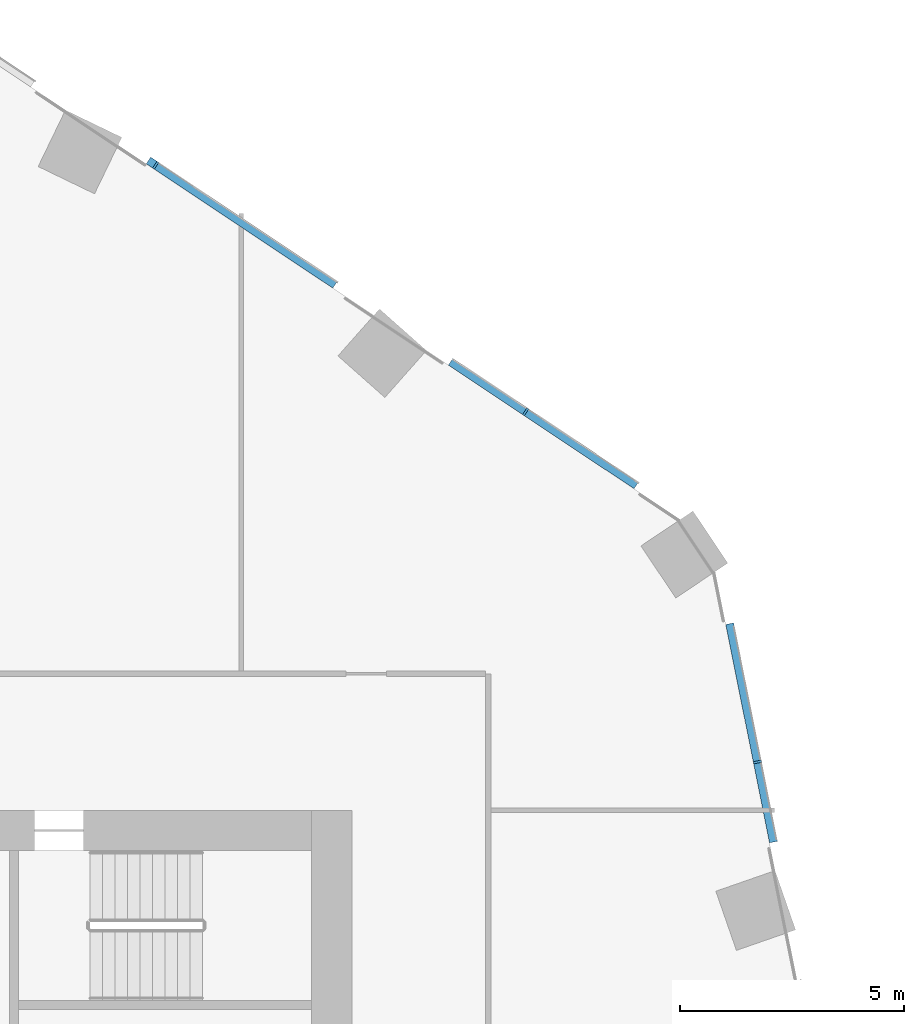
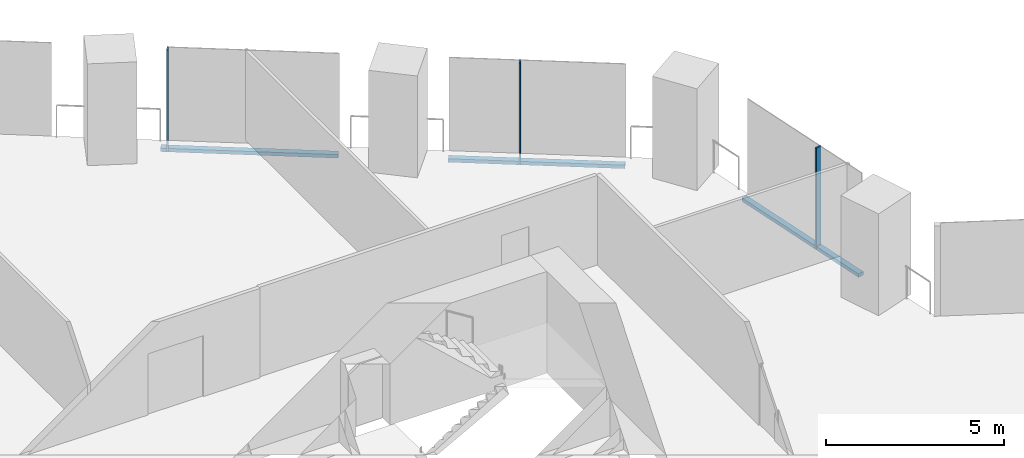
# One storey, part 14 of 32: 6 members, 2 elements without a shape of their own.
"""IFC4 building model written with IfcOpenShell, lengths in metres."""

from ifc_helpers import new_model, si_unit, direction, frame, origin, origin_2d, place, context, subcontext, project, spatial, rectangle, extrude, material, material_profile, profile_set, type_object, element, aggregate, save


model = new_model("IFC4")

# Units and contexts
model_context = context("Model", 3, precision=1e-05, world=origin(), true_north=direction((0.0, 1.0)))
body_context = subcontext(model_context, "Body", "Model", "MODEL_VIEW")
ifc_project = project(units=[si_unit("LENGTHUNIT", "METRE"), si_unit("AREAUNIT", "SQUARE_METRE"), si_unit("VOLUMEUNIT", "CUBIC_METRE"), si_unit("PLANEANGLEUNIT", "RADIAN"), si_unit("MASSUNIT", "GRAM", prefix="KILO")], contexts=[model_context])

# Site, building, storey
site_placement = place(None, origin())
site = spatial("IfcSite", under=ifc_project, at=site_placement, CompositionType="ELEMENT")
building_placement = place(site_placement, origin())
building = spatial("IfcBuilding", under=site, at=building_placement, Name="Orlundy Tower", CompositionType="ELEMENT")
storey_placement = place(building_placement, frame((0.0, 0.0, 58.800048828125)))
storey = spatial("IfcBuildingStorey", under=building, at=storey_placement, Name="L13", CompositionType="ELEMENT", Elevation=58.800048828125)

# Curtain wall, members
ifc_material_1 = material(Name="Aluminium bronze anodised", Category="aluminium")
curtain_wall_type = type_object("IfcCurtainWallType", Name="CW1 wall", PredefinedType="NOTDEFINED", material=ifc_material_1)
curtain_wall_1_placement = place(storey_placement, origin())
curtain_wall_1 = element("IfcCurtainWall", 1, at=curtain_wall_1_placement, inside=storey, type_object=curtain_wall_type, Name="CW1 run 016", PredefinedType="NOTDEFINED")
ifc_material_2 = material(Name="Aluminium bronze anodised", Category="aluminium")
ifc_material_profile_1 = material_profile(ifc_material_2, rectangle(XDim=0.179931640625, YDim=0.050048828125, at=origin_2d()), Name="CW1 mullion 50x180")
ifc_profile_set_1 = profile_set([ifc_material_profile_1], Name="Aluminium bronze anodised")
member_type_1 = type_object("IfcMemberType", Name="CW1 mullion 50x180", PredefinedType="MULLION", material=ifc_profile_set_1)
member_1_placement = place(storey_placement, frame((14.612548828125, 26.421142578125, -0.400146484375), z_axis=(0.0, 0.0, 1.0), x_axis=(0.554356579774, 0.832279269513, 0.0)))
member_1 = element("IfcMember", 2, at=member_1_placement, type_object=member_type_1, Name="CW1 mullion 46", PredefinedType="MULLION", context=body_context, shape_type="SweptSolid", body=[
    extrude(rectangle(XDim=0.179931640625, YDim=0.050048828125, at=origin_2d()), origin(), (0.0, 0.0, 1.0), 3.5),
])
member_2_placement = place(storey_placement, frame((22.885986328125, 20.910400390625, -0.400146484375), z_axis=(0.0, 0.0, 1.0), x_axis=(0.554356579774, 0.832279269513, 0.0)))
member_2 = element("IfcMember", 3, at=member_2_placement, type_object=member_type_1, Name="CW1 mullion 48", PredefinedType="MULLION", context=body_context, shape_type="SweptSolid", body=[
    extrude(rectangle(XDim=0.179931640625, YDim=0.050048828125, at=origin_2d()), origin(), (0.0, 0.0, 1.0), 3.5),
])

# Curtain wall, member
curtain_wall_2_placement = place(storey_placement, origin())
curtain_wall_2 = element("IfcCurtainWall", 4, at=curtain_wall_2_placement, inside=storey, type_object=curtain_wall_type, Name="CW1 run 017", PredefinedType="NOTDEFINED")
member_3_placement = place(storey_placement, frame((28.067138671875, 13.07861328125, -0.400146484375), z_axis=(0.0, 0.0, 1.0), x_axis=(0.980497937474, 0.196529373401, 0.0)))
member_3 = element("IfcMember", 5, at=member_3_placement, type_object=member_type_1, Name="CW1 mullion 50", PredefinedType="MULLION", context=body_context, shape_type="SweptSolid", body=[
    extrude(rectangle(XDim=0.179931640625, YDim=0.050048828125, at=origin_2d()), origin(), (0.0, 0.0, 1.0), 3.5),
])

# Member
ifc_material_3 = material(Name="Aluminium bronze anodised", Category="aluminium")
ifc_material_profile_2 = material_profile(ifc_material_3, rectangle(XDim=0.179931640625, YDim=0.1201171875, at=origin_2d()), Name="CW1 transom 180x120")
ifc_profile_set_2 = profile_set([ifc_material_profile_2], Name="Aluminium bronze anodised")
member_type_2 = type_object("IfcMemberType", Name="CW1 transom 180x120", PredefinedType="USERDEFINED", material=ifc_profile_set_2)
member_4_placement = place(storey_placement, frame((14.450927734375, 26.52880859375, -0.340087890625), z_axis=(0.832267516097, -0.554374225275, 0.0), x_axis=(0.554374225275, 0.832267516097, 0.0)))
member_4 = element("IfcMember", 6, at=member_4_placement, type_object=member_type_2, Name="CW1 transom", ObjectType="TRANSOM", PredefinedType="USERDEFINED", context=body_context, shape_type="SweptSolid", body=[
    extrude(rectangle(XDim=0.179931640625, YDim=0.1201171875, at=origin_2d()), origin(), (0.0, 0.0, 1.0), 5.012939453125),
])

member_5_placement = place(storey_placement, frame((21.207763671875, 22.028076171875, -0.340087890625), z_axis=(0.832283711983, -0.554349910046, 0.0), x_axis=(0.554349910046, 0.832283711983, 0.0)))
member_5 = element("IfcMember", 7, at=member_5_placement, type_object=member_type_2, Name="CW1 transom", ObjectType="TRANSOM", PredefinedType="USERDEFINED", context=body_context, shape_type="SweptSolid", body=[
    extrude(rectangle(XDim=0.179931640625, YDim=0.1201171875, at=origin_2d()), origin(), (0.0, 0.0, 1.0), 4.98681640625),
])

aggregate(curtain_wall_1, [member_1, member_2, member_4, member_5])

member_6_placement = place(storey_placement, frame((27.447265625, 16.172119140625, -0.340087890625), z_axis=(0.196521476686, -0.980499520245, 0.0), x_axis=(0.980499520245, 0.196521476686, 0.0)))
member_6 = element("IfcMember", 8, at=member_6_placement, type_object=member_type_2, Name="CW1 transom", ObjectType="TRANSOM", PredefinedType="USERDEFINED", context=body_context, shape_type="SweptSolid", body=[
    extrude(rectangle(XDim=0.179931640625, YDim=0.1201171875, at=origin_2d()), origin(), (0.0, 0.0, 1.0), 4.98046875),
])

aggregate(curtain_wall_2, [member_3, member_6])

save(model, "model.ifc")
